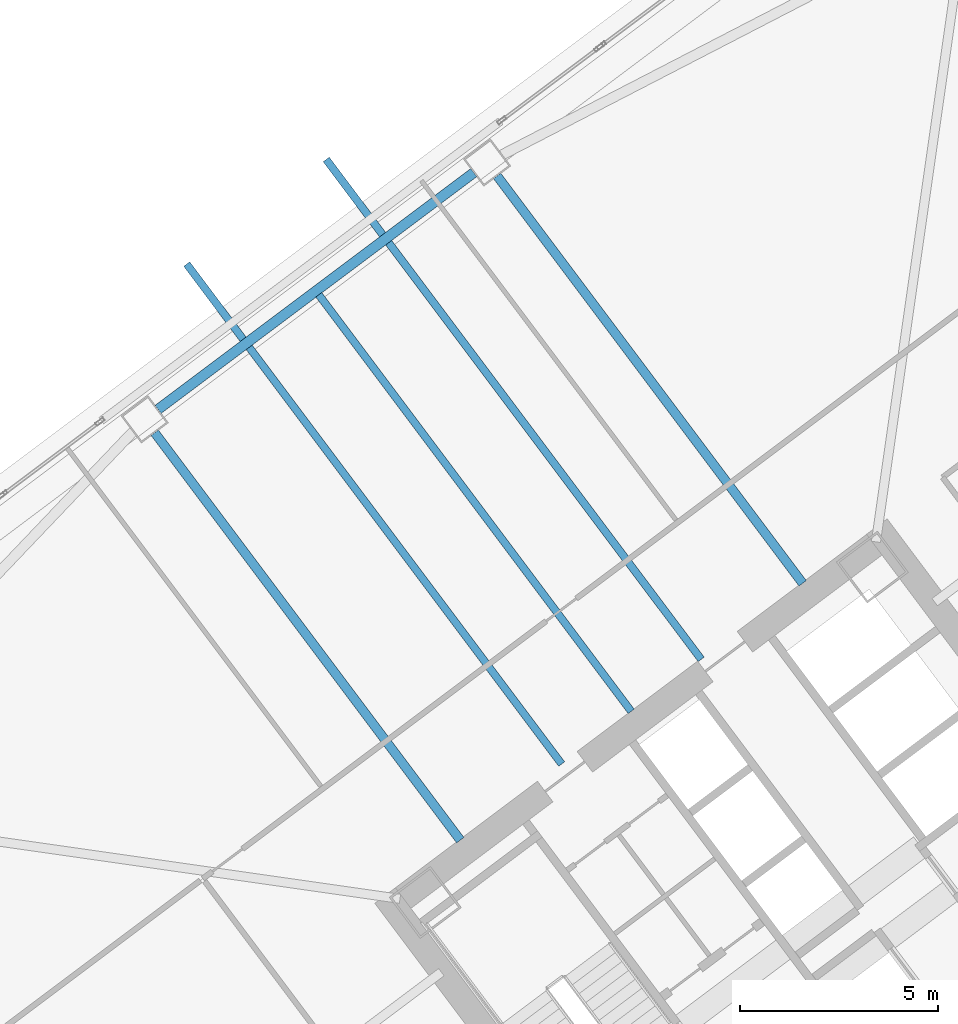
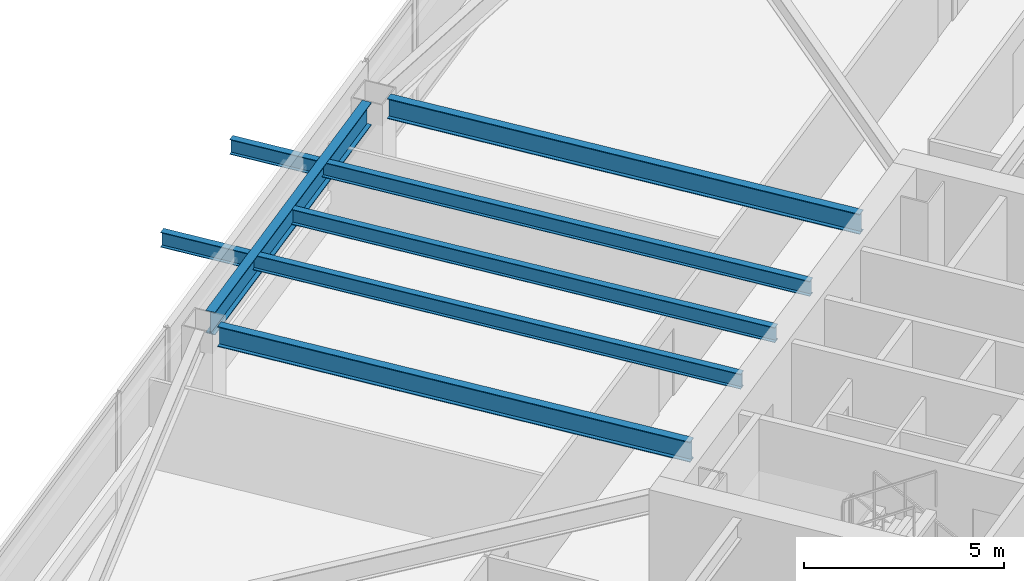
# One storey, part 27 of 46: 6 beams.
"""IFC4 building model written with IfcOpenShell, lengths in metres."""

from ifc_helpers import new_model, si_unit, direction, frame, origin, origin_2d, place, context, subcontext, project, spatial, i_section, extrude, material, material_profile, profile_set, type_object, element, save


model = new_model("IFC4")

# Units and contexts
model_context = context("Model", 3, precision=1e-05, world=origin(), true_north=direction((0.0, 1.0)))
body_context = subcontext(model_context, "Body", "Model", "MODEL_VIEW")
ifc_project = project(units=[si_unit("LENGTHUNIT", "METRE"), si_unit("AREAUNIT", "SQUARE_METRE"), si_unit("VOLUMEUNIT", "CUBIC_METRE"), si_unit("PLANEANGLEUNIT", "RADIAN"), si_unit("MASSUNIT", "GRAM", prefix="KILO")], contexts=[model_context])

# Site, building, storey
site_placement = place(None, origin())
site = spatial("IfcSite", under=ifc_project, at=site_placement, CompositionType="ELEMENT")
building_placement = place(site_placement, origin())
building = spatial("IfcBuilding", under=site, at=building_placement, Name="Tashvorn Skyway Center", CompositionType="ELEMENT")
storey_placement = place(building_placement, frame((0.0, 0.0, 31.699951171875)))
storey = spatial("IfcBuildingStorey", under=building, at=storey_placement, Name="L07", CompositionType="ELEMENT", Elevation=31.699951171875)

# Beams
ifc_material = material(Name="Steel ASTM A992 Grade 50", Category="steel")
ifc_material_profile_1 = material_profile(ifc_material, i_section(OverallWidth=0.22998046875, OverallDepth=0.616943359375, WebThickness=0.01318359375, FlangeThickness=0.022216796875, at=origin_2d()), Name="W24X94")
ifc_profile_set_1 = profile_set([ifc_material_profile_1], Name="Steel ASTM A992 Grade 50")
beam_type_1 = type_object("IfcBeamType", Name="BM-BEAM-W24X94", PredefinedType="BEAM", material=ifc_profile_set_1)
beam_1_placement = place(storey_placement, frame((105.94189453125, 51.743896484375, 3.04150390625), z_axis=(0.600018239213, -0.799986320265, 0.0), x_axis=(0.799986320265, 0.600018239213, 0.0)))
element("IfcBeam", 1, at=beam_1_placement, inside=storey, type_object=beam_type_1, Name="Tower 2 L07 Primary Floor Girder FC-N1", PredefinedType="BEAM", context=body_context, shape_type="SweptSolid", body=[
    extrude(i_section(OverallWidth=0.22998046875, OverallDepth=0.616943359375, WebThickness=0.01318359375, FlangeThickness=0.022216796875, at=origin_2d()), origin(), (0.0, 0.0, 1.0), 12.849853515625),
])
beam_2_placement = place(storey_placement, frame((97.302001953125, 45.263916015625, 3.04150390625), z_axis=(0.599996960112, -0.800002279907, 0.0), x_axis=(0.800002279907, 0.599996960112, 0.0)))
element("IfcBeam", 2, at=beam_2_placement, inside=storey, type_object=beam_type_1, Name="Tower 2 L07 Primary Floor Girder FC-N2", PredefinedType="BEAM", context=body_context, shape_type="SweptSolid", body=[
    extrude(i_section(OverallWidth=0.22998046875, OverallDepth=0.616943359375, WebThickness=0.01318359375, FlangeThickness=0.022216796875, at=origin_2d()), origin(), (0.0, 0.0, 1.0), 12.85009765625),
])
ifc_material_profile_2 = material_profile(ifc_material, i_section(OverallWidth=0.19091796875, OverallDepth=0.4599609375, WebThickness=0.010009765625, FlangeThickness=0.01611328125, at=origin_2d()), Name="W18X55")
ifc_profile_set_2 = profile_set([ifc_material_profile_2], Name="Steel ASTM A992 Grade 50")
beam_type_2 = type_object("IfcBeamType", Name="BM-JOIST-W18X55", PredefinedType="JOIST", material=ifc_profile_set_2)
beam_3_placement = place(storey_placement, frame((109.325927734375, 38.23193359375, 3.1201171875), z_axis=(-0.600002972791, 0.799997770398, 0.0), x_axis=(-0.799997770398, -0.600002972791, 0.0)))
element("IfcBeam", 3, at=beam_3_placement, inside=storey, type_object=beam_type_2, Name="Tower 2 L07 Secondary Composite Joist JN", PredefinedType="JOIST", context=body_context, shape_type="SweptSolid", body=[
    extrude(i_section(OverallWidth=0.19091796875, OverallDepth=0.4599609375, WebThickness=0.010009765625, FlangeThickness=0.01611328125, at=origin_2d()), origin(), (0.0, 0.0, 1.0), 13.139892578125),
])
for number, where, z_axis, x_axis, name in (
    (4, (107.572021484375, 36.904052734375, 3.1201171875), (-0.599997522972, 0.800001857765, 0.0), (-0.800001857765, -0.599997522972, 0.0), "Tower 2 L08 Terrace Cantilever Outlooker 1"),
    (5, (111.092041015625, 39.5439453125, 3.1201171875), (-0.600007430982, 0.79999442671, 0.0), (-0.79999442671, -0.600007430982, 0.0), "Tower 2 L08 Terrace Cantilever Outlooker 2"),
):
    element("IfcBeam", number, at=place(storey_placement, frame(where, z_axis=z_axis, x_axis=x_axis)), inside=storey, type_object=beam_type_2, Name=name, PredefinedType="JOIST", context=body_context, shape_type="SweptSolid", body=[
        extrude(i_section(OverallWidth=0.19091796875, OverallDepth=0.4599609375, WebThickness=0.010009765625, FlangeThickness=0.01611328125, at=origin_2d()), origin(), (0.0, 0.0, 1.0), 15.77001953125),
    ])
ifc_material_profile_3 = material_profile(ifc_material, i_section(OverallWidth=0.256103515625, OverallDepth=0.693115234375, WebThickness=0.014404296875, FlangeThickness=0.023681640625, at=origin_2d()), Name="W27X114")
ifc_profile_set_3 = profile_set([ifc_material_profile_3], Name="Steel ASTM A992 Grade 50")
beam_type_3 = type_object("IfcBeamType", Name="BM-SPANDREL-W27X114", PredefinedType="SPANDREL", material=ifc_profile_set_3)
beam_4_placement = place(storey_placement, frame((105.35400390625, 51.827880859375, 3.003662109375), z_axis=(-0.800008824351, -0.599988234018, 0.0), x_axis=(0.599988234018, -0.800008824351, 0.0)))
element("IfcBeam", 6, at=beam_4_placement, inside=storey, type_object=beam_type_3, Name="Tower 2 L07 Spandrel Beam 08", PredefinedType="SPANDREL", context=body_context, shape_type="SweptSolid", body=[
    extrude(i_section(OverallWidth=0.256103515625, OverallDepth=0.693115234375, WebThickness=0.014404296875, FlangeThickness=0.023681640625, at=origin_2d()), origin(), (0.0, 0.0, 1.0), 9.9599609375),
])

save(model, "model.ifc")
